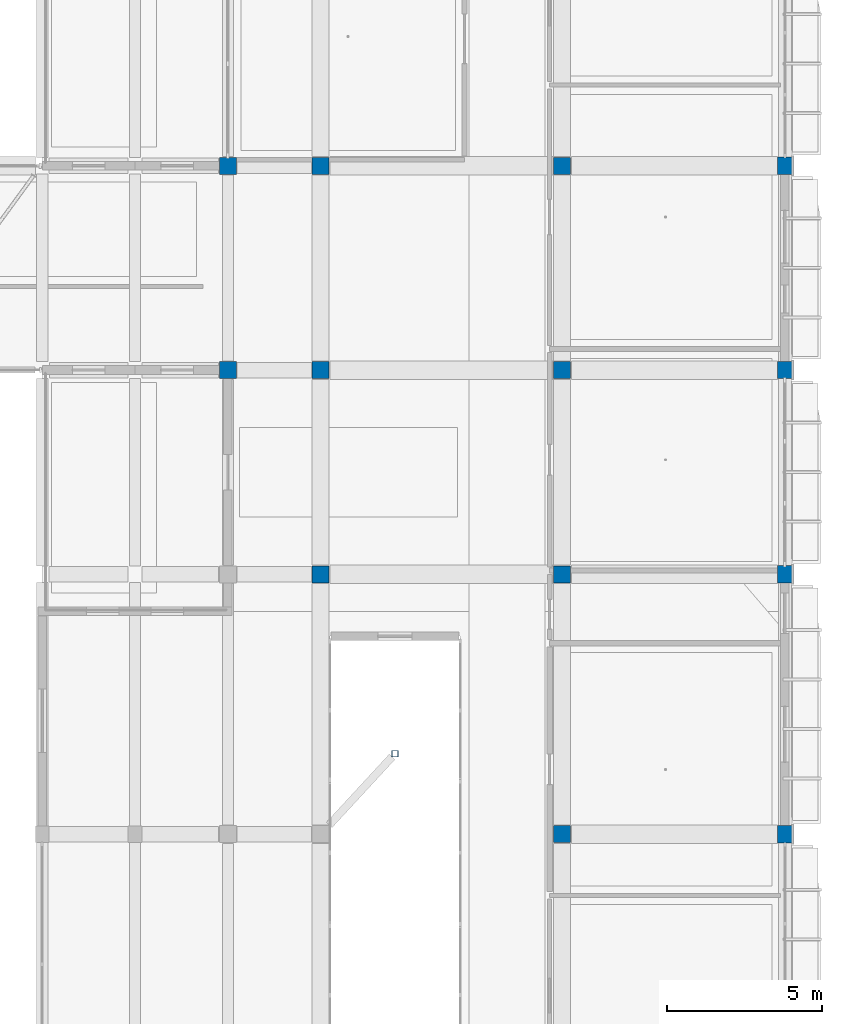
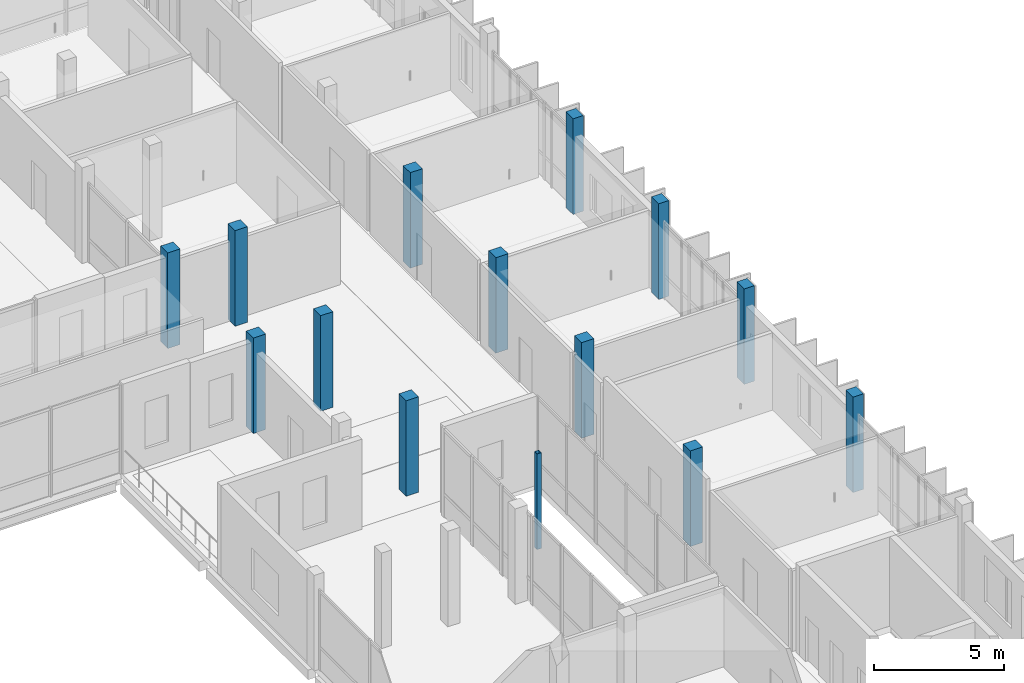
# One storey, part 16 of 95: 14 columns.
"""IFC4 building model written with IfcOpenShell, lengths in metres."""

from ifc_helpers import new_model, si_unit, derived_unit, direction, frame, origin, origin_2d, place, context, subcontext, project, spatial, rectangle, hollow_rectangle, extrude, material, material_profile, profile_set, type_object, element, save


model = new_model("IFC4")

# Units and contexts
model_context = context("Model", 3, precision=1e-05, world=origin(), true_north=direction((0.0, 1.0)))
body_context = subcontext(model_context, "Body", "Model", "MODEL_VIEW")
ifc_project = project(units=[si_unit("LENGTHUNIT", "METRE"), si_unit("AREAUNIT", "SQUARE_METRE"), si_unit("VOLUMEUNIT", "CUBIC_METRE"), si_unit("PLANEANGLEUNIT", "RADIAN"), si_unit("MASSUNIT", "GRAM", prefix="KILO"), derived_unit("THERMALTRANSMITTANCEUNIT", [(si_unit("POWERUNIT", "WATT"), 1), (si_unit("LENGTHUNIT", "METRE"), -2), (si_unit("THERMODYNAMICTEMPERATUREUNIT", "KELVIN"), -1)])], contexts=[model_context])

# Site, building, storey
site_placement = place(None, origin())
site = spatial("IfcSite", under=ifc_project, at=site_placement, CompositionType="ELEMENT")
building_placement = place(site_placement, origin())
building = spatial("IfcBuilding", under=site, at=building_placement, Name="Braskholm Square Health Centre", CompositionType="ELEMENT")
storey_placement = place(building_placement, frame((0.0, 0.0, 4.800048828125)))
storey = spatial("IfcBuildingStorey", under=building, at=storey_placement, Name="L02", CompositionType="ELEMENT", Elevation=4.800048828125)

# Columns
ifc_material_1 = material(Name="Concrete C40/50 (f'c = 40 MPa)", Category="concrete")
ifc_material_profile_1 = material_profile(ifc_material_1, rectangle(XDim=0.550048828125, YDim=0.550048828125, at=origin_2d()), Name="RC-550X550")
ifc_profile_set_1 = profile_set([ifc_material_profile_1], Name="Concrete C40/50 (f'c = 40 MPa)")
column_type_1 = type_object("IfcColumnType", Name="ColInteriorMid550", PredefinedType="COLUMN", material=ifc_profile_set_1)
for number, where, z_axis, x_axis, name in (
    (1, (145.800048828125, 87.199951171875, 0.0), (0.0, 0.0, 1.0), (1.0, 0.0, 0.0), "Column 19/N L02"),
    (2, (145.800048828125, 93.800048828125, 0.0), (0.0, 0.0, 1.0), (1.0, 0.0, 0.0), "Column 19/P L02"),
    (3, (148.800048828125, 80.60009765625, 0.0), (0.0, 0.0, 1.0), (1.0, 0.0, 0.0), "Column 20/M L02"),
    (4, (148.800048828125, 87.199951171875, 0.0), (0.0, 0.0, 1.0), (1.0, 0.0, 0.0), "Column 20/N L02"),
    (5, (148.800048828125, 93.800048828125, 0.0), (0.0, 0.0, 1.0), (1.0, 0.0, 0.0), "Column 20/P L02"),
    (6, (156.60009765625, 72.199951171875, 0.0), (0.0, 0.0, 1.0), (1.0, 0.0, 0.0), "Column 21/L L02"),
    (7, (156.60009765625, 80.60009765625, 0.0), (0.0, 0.0, 1.0), (1.0, 0.0, 0.0), "Column 21/M L02"),
    (8, (156.60009765625, 87.199951171875, 0.0), (0.0, 0.0, 1.0), (1.0, 0.0, 0.0), "Column 21/N L02"),
    (9, (156.60009765625, 93.800048828125, 0.0), (0.0, 0.0, 1.0), (1.0, 0.0, 0.0), "Column 21/P L02"),
):
    element("IfcColumn", number, at=place(storey_placement, frame(where, z_axis=z_axis, x_axis=x_axis)), inside=storey, type_object=column_type_1, Name=name, PredefinedType="COLUMN", context=body_context, shape_type="SweptSolid", body=[
        extrude(rectangle(XDim=0.550048828125, YDim=0.550048828125, at=origin_2d()), origin(), (0.0, 0.0, 1.0), 4.5),
    ])
ifc_material_2 = material(Name="Precast concrete C40/50 architectural white", Category="concrete")
ifc_material_profile_2 = material_profile(ifc_material_2, rectangle(XDim=0.4599609375, YDim=0.56005859375, at=origin_2d()), Name="RC-460X560")
ifc_profile_set_2 = profile_set([ifc_material_profile_2], Name="Precast concrete C40/50 architectural white")
column_type_2 = type_object("IfcColumnType", Name="ColPrecastFrame460x560", PredefinedType="COLUMN", material=ifc_profile_set_2)
for number, where, z_axis, x_axis, name in (
    (10, (163.800048828125, 72.199951171875, 0.0), (0.0, 0.0, 1.0), (1.0, 0.0, 0.0), "Column 22/L L02"),
    (11, (163.800048828125, 80.60009765625, 0.0), (0.0, 0.0, 1.0), (1.0, 0.0, 0.0), "Column 22/M L02"),
    (12, (163.800048828125, 87.199951171875, 0.0), (0.0, 0.0, 1.0), (1.0, 0.0, 0.0), "Column 22/N L02"),
    (13, (163.800048828125, 93.800048828125, 0.0), (0.0, 0.0, 1.0), (1.0, 0.0, 0.0), "Column 22/P L02"),
):
    element("IfcColumn", number, at=place(storey_placement, frame(where, z_axis=z_axis, x_axis=x_axis)), inside=storey, type_object=column_type_2, Name=name, PredefinedType="COLUMN", context=body_context, shape_type="SweptSolid", body=[
        extrude(rectangle(XDim=0.4599609375, YDim=0.56005859375, at=origin_2d()), origin(), (0.0, 0.0, 1.0), 4.5),
    ])
ifc_material_3 = material(Name="Steel ASTM A500 Grade C", Category="steel")
ifc_material_profile_3 = material_profile(ifc_material_3, hollow_rectangle(XDim=0.203125, YDim=0.203125, WallThickness=0.0087890625, at=origin_2d()), Name="HSS8X8X3/8")
ifc_profile_set_3 = profile_set([ifc_material_profile_3], Name="Steel ASTM A500 Grade C")
column_type_3 = type_object("IfcColumnType", Name="ColSteelPorchHSS8", PredefinedType="COLUMN", material=ifc_profile_set_3)
column_placement = place(storey_placement, frame((151.199951171875, 74.800048828125, 0.0), z_axis=(0.0, 0.0, 1.0), x_axis=(1.0, 0.0, 0.0)))
element("IfcColumn", 14, at=column_placement, inside=storey, type_object=column_type_3, Name="Column CS3F L02", PredefinedType="COLUMN", context=body_context, shape_type="SweptSolid", body=[
    extrude(hollow_rectangle(XDim=0.203125, YDim=0.203125, WallThickness=0.0087890625, at=origin_2d()), origin(), (0.0, 0.0, 1.0), 4.5),
])

save(model, "model.ifc")
